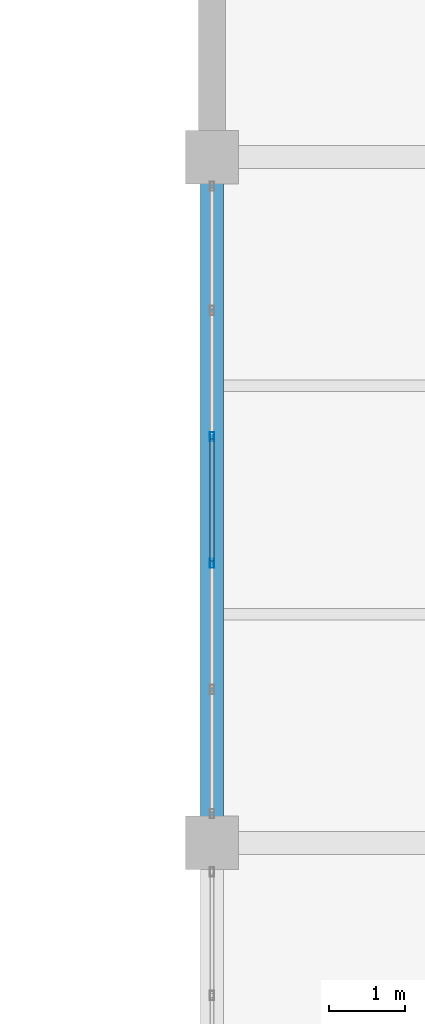
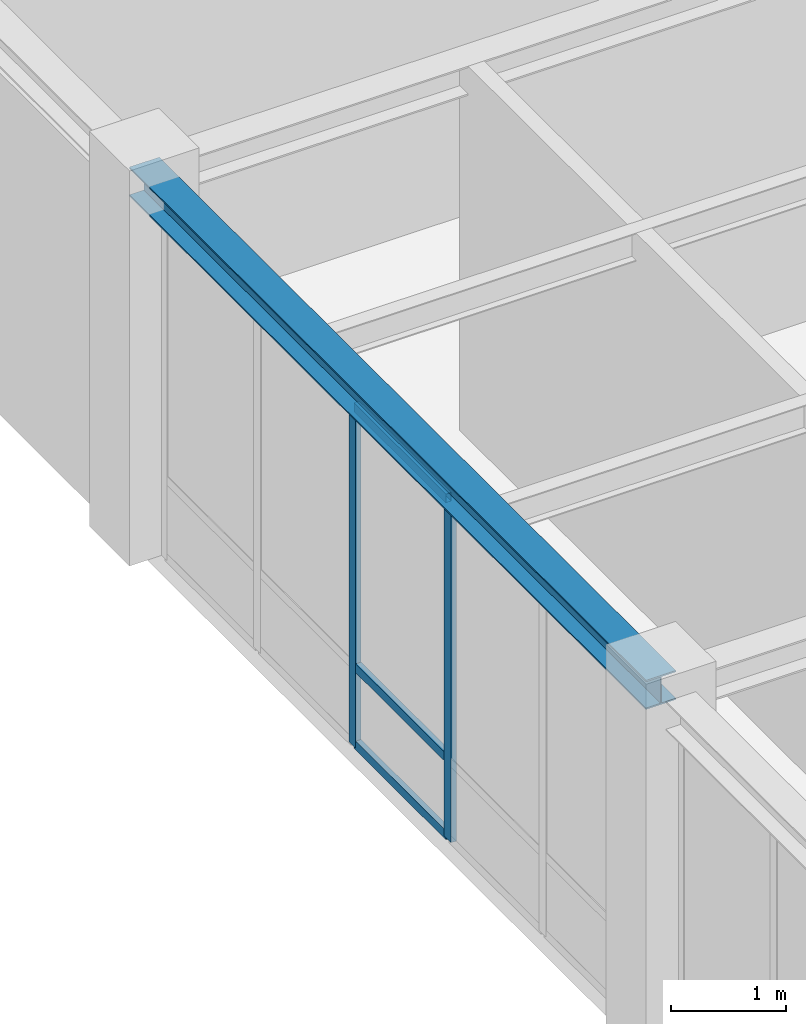
# One storey, part 39 of 108: 5 members, 1 beam, 1 element without a shape of its own.
"""IFC4 building model written with IfcOpenShell, lengths in metres."""

import ifcopenshell
import ifcopenshell.guid

model = None  # the IFC model being written
_history = None  # IfcOwnerHistory: only IFC2X3 demands one
_inside = {}  # id of a spatial element -> (the spatial element, [elements in it])
_under = {}  # id of a project, library or spatial element -> (it, [spatial elements below it])
_declared = {}  # id of a project -> (the project, [libraries it declares])
_typed = {}  # id of a type object -> (the type object, [elements of that type])
_made_of = {}  # id of a material, layer set ... -> (it, [elements and type objects made of it])


def new_model(schema):
    """Start an empty IFC model of exactly this schema.

    Asked for "IFC4X3", IfcOpenShell would pick the latest addendum, in which some entities
    have other attributes; the version numbers below select the first issue.
    IFC2X3 requires an IfcOwnerHistory on every rooted entity: one is made here for all.
    """
    global model, _history
    if schema == "IFC4X3":
        model = ifcopenshell.file(schema_version=(4, 3, 0, 0))
    else:
        model = ifcopenshell.file(schema=schema)
    _inside.clear()
    _under.clear()
    _declared.clear()
    _typed.clear()
    _made_of.clear()
    _history = None
    if model.schema == "IFC2X3":
        org = make("IfcOrganization", Name="unknown")
        user = make(
            "IfcPersonAndOrganization",
            ThePerson=make("IfcPerson", FamilyName="unknown"),
            TheOrganization=org,
        )
        app = make(
            "IfcApplication",
            ApplicationDeveloper=org,
            Version="unknown",
            ApplicationFullName="unknown",
            ApplicationIdentifier="unknown",
        )
        _history = make(
            "IfcOwnerHistory",
            OwningUser=user,
            OwningApplication=app,
            ChangeAction="ADDED",
            CreationDate=0,
        )
    return model


def make(cls, **values):
    """One entity of the class cls with the attributes given. An attribute that is None is left unset."""
    return model.create_entity(
        cls, **{name: value for name, value in values.items() if value is not None}
    )


def rooted(cls, **values):
    """An entity with a GlobalId (a new one), such as an element, a storey or a relation."""
    return make(cls, GlobalId=ifcopenshell.guid.new(), OwnerHistory=_history, **values)


def si_unit(unit_type, name, prefix=None):
    """IfcSIUnit, for example si_unit("LENGTHUNIT", "METRE", prefix="MILLI")."""
    return make("IfcSIUnit", UnitType=unit_type, Prefix=prefix, Name=name)


def assignment(units):
    """IfcUnitAssignment: the units of a project."""
    return None if units is None else make("IfcUnitAssignment", Units=units)


def point(xyz):
    """IfcCartesianPoint."""
    return None if xyz is None else make("IfcCartesianPoint", Coordinates=xyz)


def direction(xyz):
    """IfcDirection."""
    return None if xyz is None else make("IfcDirection", DirectionRatios=xyz)


def frame(location, z_axis=None, x_axis=None):
    """IfcAxis2Placement3D, a coordinate frame: its origin and axes. An axis left out is left unset."""
    return make(
        "IfcAxis2Placement3D",
        Location=point(location),
        Axis=direction(z_axis),
        RefDirection=direction(x_axis),
    )


def frame_2d(location, x_axis=None):
    """IfcAxis2Placement2D, a coordinate frame in the plane: its origin and x axis."""
    return make(
        "IfcAxis2Placement2D", Location=point(location), RefDirection=direction(x_axis)
    )


def origin():
    """The frame at (0, 0, 0) with its axes left unset."""
    return frame((0.0, 0.0, 0.0))


def origin_2d():
    """The frame at (0, 0) in the plane with its x axis left unset."""
    return frame_2d((0.0, 0.0))


def place(relative_to, where):
    """IfcLocalPlacement: puts the frame where relative to a parent placement (None: the world)."""
    return make(
        "IfcLocalPlacement", PlacementRelTo=relative_to, RelativePlacement=where
    )


def context(
    kind, dimensions, precision=None, world=None, true_north=None, identifier=None
):
    """IfcGeometricRepresentationContext, for example the 3D "Model" context."""
    return make(
        "IfcGeometricRepresentationContext",
        ContextIdentifier=identifier,
        ContextType=kind,
        CoordinateSpaceDimension=dimensions,
        Precision=precision,
        WorldCoordinateSystem=world,
        TrueNorth=true_north,
    )


def subcontext(parent, identifier, kind, view, scale=None):
    """IfcGeometricRepresentationSubContext, for example "Body" below "Model"."""
    return make(
        "IfcGeometricRepresentationSubContext",
        ContextIdentifier=identifier,
        ContextType=kind,
        ParentContext=parent,
        TargetScale=scale,
        TargetView=view,
    )


def project(units=None, contexts=None):
    """IfcProject with its units and contexts."""
    return rooted(
        "IfcProject",
        Name="project",
        RepresentationContexts=contexts,
        UnitsInContext=assignment(units),
    )


def spatial(cls, under=None, at=None, **own):
    """A site, building, storey or space (cls), placed at a placement, below another one or the project."""
    s = rooted(cls, ObjectPlacement=at, **own)
    if under is not None:
        _under.setdefault(under.id(), (under, []))[1].append(s)
    return s


def profile(cls, at=None, kind="AREA", **sizes):
    """A parametric profile (cls). Its sizes go by their IFC names, for example OverallWidth=200.0."""
    return make(cls, ProfileType=kind, Position=at, **sizes)


def hollow_rectangle(**sizes):
    """IfcRectangleHollowProfileDef."""
    return profile("IfcRectangleHollowProfileDef", **sizes)


def i_section(**sizes):
    """IfcIShapeProfileDef."""
    return profile("IfcIShapeProfileDef", **sizes)


def extrude(swept, where, along, depth):
    """IfcExtrudedAreaSolid: the profile swept, set in the frame where, extruded along a direction by depth."""
    return make(
        "IfcExtrudedAreaSolid",
        SweptArea=swept,
        Position=where,
        ExtrudedDirection=direction(along),
        Depth=depth,
    )


def shape(context_of_items, identifier, shape_type, items):
    """IfcShapeRepresentation: the items that make up one representation, for example the "Body"."""
    return make(
        "IfcShapeRepresentation",
        ContextOfItems=context_of_items,
        RepresentationIdentifier=identifier,
        RepresentationType=shape_type,
        Items=items,
    )


def material(Name=None, Category=None):
    """IfcMaterial."""
    return make("IfcMaterial", Name=Name, Category=Category)


def material_profile(
    of_material, cross_section, Name=None, Category=None, Priority=None
):
    """IfcMaterialProfile: a cross section and its material."""
    return make(
        "IfcMaterialProfile",
        Name=Name,
        Material=of_material,
        Profile=cross_section,
        Priority=Priority,
        Category=Category,
    )


def profile_set(profiles, Name=None, composite=None):
    """IfcMaterialProfileSet."""
    return make(
        "IfcMaterialProfileSet",
        Name=Name,
        MaterialProfiles=profiles,
        CompositeProfile=composite,
    )


def made_of(thing, what):
    """Note that an element or type object is made of a material, layer set ...; save() writes the relation."""
    if what is not None:
        _made_of.setdefault(what.id(), (what, []))[1].append(thing)
    return thing


def type_object(cls, material=None, **own):
    """A type object (cls), such as IfcWallType, which elements share."""
    return made_of(rooted(cls, **own), material)


def element(
    cls,
    number,
    at=None,
    inside=None,
    cuts=None,
    type_object=None,
    material=None,
    context=None,
    identifier="Body",
    shape_type=None,
    held_by="IfcProductDefinitionShape",
    body=None,
    shapes=None,
    **own,
):
    """One element of the class cls, such as IfcWall. Its Tag is "e" and its number.

    at: its placement. inside: the storey or other place that contains it. cuts: it is an
    opening in that element (IfcRelVoidsElement). A single representation is given by context,
    identifier, shape_type and body (its items); several are given by shapes. held_by: the class
    of the entity that holds the representations. save() writes the other relations.
    """
    e = rooted(cls, Tag="e%d" % number, ObjectPlacement=at, **own)
    if body is not None:
        shapes = [shape(context, identifier, shape_type, body)]
    if shapes is not None:
        e.Representation = make(held_by, Representations=shapes)
    if inside is not None:
        _inside.setdefault(inside.id(), (inside, []))[1].append(e)
    if cuts is not None:
        rooted(
            "IfcRelVoidsElement", RelatingBuildingElement=cuts, RelatedOpeningElement=e
        )
    if type_object is not None:
        _typed.setdefault(type_object.id(), (type_object, []))[1].append(e)
    return made_of(e, material)


def aggregate(whole, parts):
    """IfcRelAggregates: a whole, such as a stair, and the parts it consists of."""
    return rooted("IfcRelAggregates", RelatingObject=whole, RelatedObjects=parts)


def save(model, path):
    """Write the relations noted so far, then the file.

    IfcRelAggregates (storeys below a building ...), IfcRelContainedInSpatialStructure (elements
    in a storey), IfcRelDefinesByType, IfcRelAssociatesMaterial and IfcRelDeclares: one each for
    every whole, place, type object, material and project.
    """
    for whole, parts in _under.values():
        aggregate(whole, parts)
    for where, things in _inside.values():
        rooted(
            "IfcRelContainedInSpatialStructure",
            RelatedElements=things,
            RelatingStructure=where,
        )
    for kind, things in _typed.values():
        rooted("IfcRelDefinesByType", RelatedObjects=things, RelatingType=kind)
    for what, things in _made_of.values():
        rooted("IfcRelAssociatesMaterial", RelatedObjects=things, RelatingMaterial=what)
    for by, libraries in _declared.values():
        rooted("IfcRelDeclares", RelatingContext=by, RelatedDefinitions=libraries)
    model.write(path)


model = new_model("IFC4")

# Units and contexts
model_context = context("Model", 3, precision=1e-05, world=origin(), true_north=direction((0.0, 1.0)))
body_context = subcontext(model_context, "Body", "Model", "MODEL_VIEW")
ifc_project = project(units=[si_unit("LENGTHUNIT", "METRE"), si_unit("AREAUNIT", "SQUARE_METRE"), si_unit("VOLUMEUNIT", "CUBIC_METRE"), si_unit("PLANEANGLEUNIT", "RADIAN"), si_unit("MASSUNIT", "GRAM", prefix="KILO")], contexts=[model_context])

# Site, building, storey
site_placement = place(None, origin())
site = spatial("IfcSite", under=ifc_project, at=site_placement, CompositionType="ELEMENT")
building_placement = place(site_placement, origin())
building = spatial("IfcBuilding", under=site, at=building_placement, Name="Lykobir Media Centre", CompositionType="ELEMENT")
storey_placement = place(building_placement, frame((0.0, 0.0, 15.0)))
storey = spatial("IfcBuildingStorey", under=building, at=storey_placement, Name="L03", CompositionType="ELEMENT", Elevation=15.0)

# Curtain wall, members
ifc_material_1 = material(Name="Anodized Aluminium AW-6060", Category="aluminium")
curtain_wall_type = type_object("IfcCurtainWallType", Name="CW-COURT-B", PredefinedType="NOTDEFINED", material=ifc_material_1)
curtain_wall_placement = place(storey_placement, origin())
curtain_wall = element("IfcCurtainWall", 1, at=curtain_wall_placement, inside=storey, type_object=curtain_wall_type, Name="Curtain wall CW2-L03-0136", PredefinedType="NOTDEFINED")
ifc_material_profile_1 = material_profile(ifc_material_1, hollow_rectangle(XDim=0.054931640625, YDim=0.1201171875, WallThickness=0.003173828125, at=origin_2d()), Name="ALU MULLION 55x120")
ifc_profile_set_1 = profile_set([ifc_material_profile_1], Name="Anodized Aluminium AW-6060")
member_type_1 = type_object("IfcMemberType", Name="CWM-120", PredefinedType="MULLION", material=ifc_profile_set_1)
member_1_placement = place(storey_placement, frame((27.0, 57.6708984375, 0.0), z_axis=(0.0, 0.0, 1.0), x_axis=(-1.0, 0.0, 0.0)))
member_1 = element("IfcMember", 2, at=member_1_placement, type_object=member_type_1, Name="CW2-L03-0136 mullion 3", PredefinedType="MULLION", context=body_context, shape_type="SweptSolid", body=[
    extrude(hollow_rectangle(XDim=0.054931640625, YDim=0.1201171875, WallThickness=0.003173828125, at=origin_2d()), origin(), (0.0, 0.0, 1.0), 3.635009765625),
])
member_2_placement = place(storey_placement, frame((27.0, 59.3291015625, 0.0), z_axis=(0.0, 0.0, 1.0), x_axis=(-1.0, 0.0, 0.0)))
member_2 = element("IfcMember", 3, at=member_2_placement, type_object=member_type_1, Name="CW2-L03-0136 mullion 4", PredefinedType="MULLION", context=body_context, shape_type="SweptSolid", body=[
    extrude(hollow_rectangle(XDim=0.054931640625, YDim=0.1201171875, WallThickness=0.003173828125, at=origin_2d()), origin(), (0.0, 0.0, 1.0), 3.635009765625),
])
ifc_material_profile_2 = material_profile(ifc_material_1, hollow_rectangle(XDim=0.054931640625, YDim=0.094970703125, WallThickness=0.0029296875, at=origin_2d()), Name="ALU TRANSOM 55x95")
ifc_profile_set_2 = profile_set([ifc_material_profile_2], Name="Anodized Aluminium AW-6060")
member_type_2 = type_object("IfcMemberType", Name="CWT-095", PredefinedType="USERDEFINED", material=ifc_profile_set_2)
member_3_placement = place(storey_placement, frame((27.0, 57.698486328125, 0.027587890625), z_axis=(0.0, 1.0, 0.0), x_axis=(-1.0, 0.0, 0.0)))
member_3 = element("IfcMember", 4, at=member_3_placement, type_object=member_type_2, Name="CW2-L03-0136 transom 3.1", ObjectType="TRANSOM", PredefinedType="USERDEFINED", context=body_context, shape_type="SweptSolid", body=[
    extrude(hollow_rectangle(XDim=0.054931640625, YDim=0.094970703125, WallThickness=0.0029296875, at=origin_2d()), origin(), (0.0, 0.0, 1.0), 1.60302734375),
])
member_4_placement = place(storey_placement, frame((27.0, 57.698486328125, 0.85009765625), z_axis=(0.0, 1.0, 0.0), x_axis=(-1.0, 0.0, 0.0)))
member_4 = element("IfcMember", 5, at=member_4_placement, type_object=member_type_2, Name="CW2-L03-0136 transom 3.2", ObjectType="TRANSOM", PredefinedType="USERDEFINED", context=body_context, shape_type="SweptSolid", body=[
    extrude(hollow_rectangle(XDim=0.054931640625, YDim=0.094970703125, WallThickness=0.0029296875, at=origin_2d()), origin(), (0.0, 0.0, 1.0), 1.60302734375),
])
member_5_placement = place(storey_placement, frame((27.0, 57.698486328125, 3.607421875), z_axis=(0.0, 1.0, 0.0), x_axis=(-1.0, 0.0, 0.0)))
member_5 = element("IfcMember", 6, at=member_5_placement, type_object=member_type_2, Name="CW2-L03-0136 transom 3.3", ObjectType="TRANSOM", PredefinedType="USERDEFINED", context=body_context, shape_type="SweptSolid", body=[
    extrude(hollow_rectangle(XDim=0.054931640625, YDim=0.094970703125, WallThickness=0.0029296875, at=origin_2d()), origin(), (0.0, 0.0, 1.0), 1.60302734375),
])
aggregate(curtain_wall, [member_1, member_2, member_3, member_4, member_5])

# Beam
ifc_material_2 = material(Name="Steel S355", Category="steel")
ifc_material_profile_3 = material_profile(ifc_material_2, i_section(OverallWidth=0.300048828125, OverallDepth=0.31005859375, WebThickness=0.009033203125, FlangeThickness=0.015380859375, at=origin_2d()), Name="HEA 320")
ifc_profile_set_3 = profile_set([ifc_material_profile_3], Name="Steel S355")
beam_type = type_object("IfcBeamType", Name="SP-HEA320", PredefinedType="SPANDREL", material=ifc_profile_set_3)
beam_placement = place(storey_placement, frame((27.0, 54.0, 3.804931640625), z_axis=(0.0, 1.0, 0.0), x_axis=(-1.0, 0.0, 0.0)))
element("IfcBeam", 7, at=beam_placement, inside=storey, type_object=beam_type, Name="Beam BM-L03-0270-0540-0270-0630-1880", PredefinedType="SPANDREL", context=body_context, shape_type="SweptSolid", body=[
    extrude(i_section(OverallWidth=0.300048828125, OverallDepth=0.31005859375, WebThickness=0.009033203125, FlangeThickness=0.015380859375, at=origin_2d()), origin(), (0.0, 0.0, 1.0), 9.0),
])

save(model, "model.ifc")
